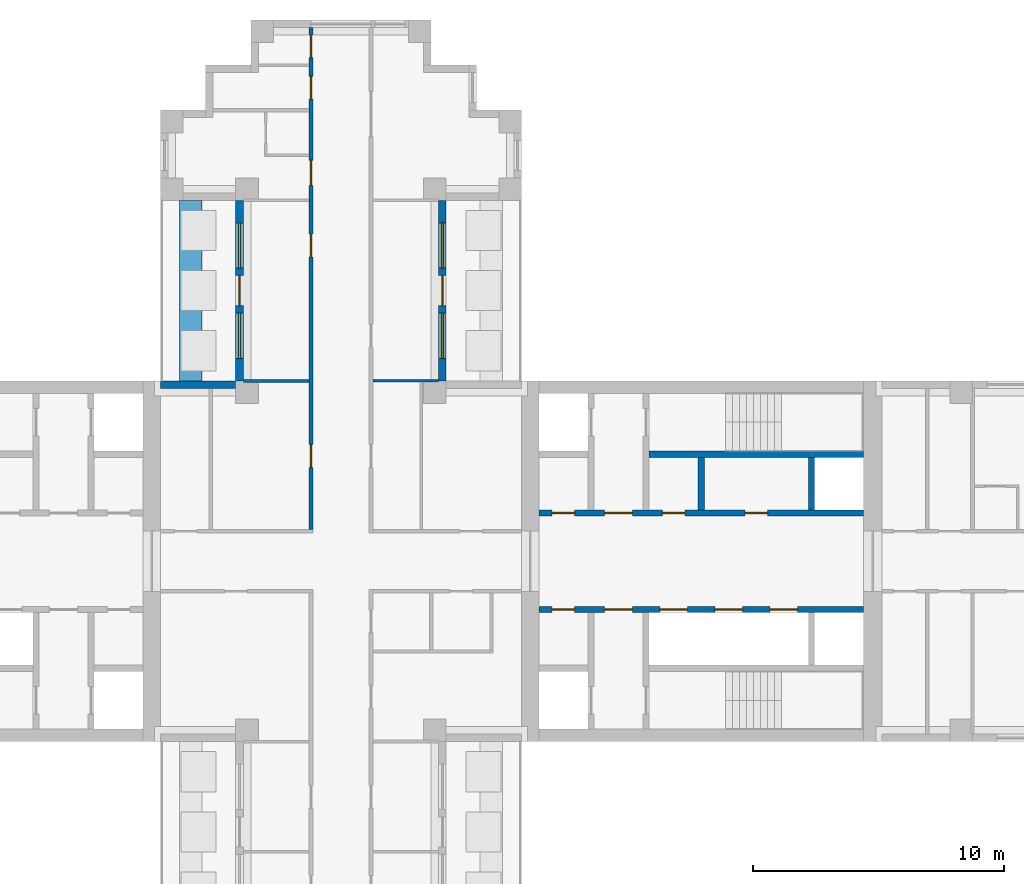
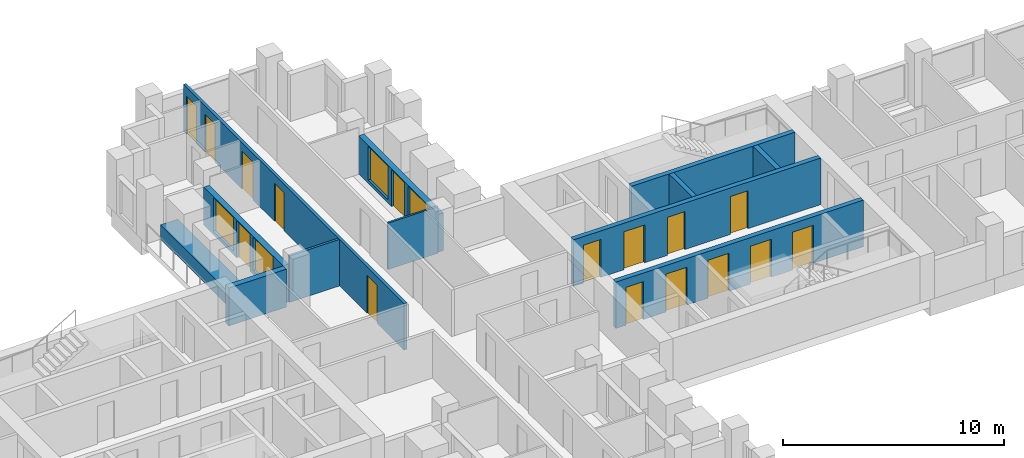
# One storey, part 8 of 13: 16 doors, 12 walls, 4 windows, 20 openings.
"""IFC4 building model written with IfcOpenShell, lengths in metres."""

from ifc_helpers import new_model, si_unit, direction, frame, frame_2d, origin, place, context, subcontext, project, spatial, rectangle, extrude, material, layer, layer_set, type_object, element, fill, save


model = new_model("IFC4")

# Units and contexts
model_context = context("Model", 3, precision=1e-05, world=origin(), true_north=direction((0.0, 1.0)))
body_context = subcontext(model_context, "Body", "Model", "MODEL_VIEW")
ifc_project = project(units=[si_unit("LENGTHUNIT", "METRE"), si_unit("AREAUNIT", "SQUARE_METRE"), si_unit("VOLUMEUNIT", "CUBIC_METRE"), si_unit("PLANEANGLEUNIT", "RADIAN"), si_unit("MASSUNIT", "GRAM", prefix="KILO")], contexts=[model_context])

# Site, building, storey
site_placement = place(None, origin())
site = spatial("IfcSite", under=ifc_project, at=site_placement, CompositionType="ELEMENT")
building_placement = place(site_placement, origin())
building = spatial("IfcBuilding", under=site, at=building_placement, Name="Fustian Cross Tower", CompositionType="ELEMENT")
storey_placement = place(building_placement, frame((0.0, 0.0, 75.89990234375)))
storey = spatial("IfcBuildingStorey", under=building, at=storey_placement, Name="L23", CompositionType="ELEMENT", Elevation=75.89990234375)

# Wall, openings, doors
ifc_material_1 = material(Name="Plasterboard on steel stud", Category="steel")
ifc_layer_1 = layer(ifc_material_1, 0.14990234375)
ifc_layer_set_1 = layer_set([ifc_layer_1], Name="Plasterboard on steel stud")
wall_type_1 = type_object("IfcWallType", Name="COMPARTMENT WALL 150 EI 60", PredefinedType="PARTITIONING", material=ifc_layer_set_1)
wall_1_placement = place(storey_placement, frame((-1.199951171875, 1.27490234375, 0.0), z_axis=(0.0, 0.0, 1.0), x_axis=(0.0, 1.0, 0.0)))
wall_1 = element("IfcWall", 1, at=wall_1_placement, inside=storey, type_object=wall_type_1, Name="Partition 35", PredefinedType="PARTITIONING", context=body_context, shape_type="SweptSolid", body=[
    extrude(rectangle(XDim=20.025146484375, YDim=0.14990234375, at=frame_2d((10.0126953125, 0.0))), origin(), (0.0, 0.0, 1.0), 2.5751953125),
])
opening_1_placement = place(wall_1_placement, frame((2.47509765625, 0.0, 0.0)))
opening_1 = element("IfcOpeningElement", 2, at=opening_1_placement, cuts=wall_1, Name="Opening D12003", PredefinedType="OPENING", context=body_context, shape_type="SweptSolid", body=[
    extrude(rectangle(XDim=0.89990234375, YDim=2.10009765625, at=frame_2d((0.449951171875, 1.050048828125))), frame((0.0, 0.0849609375, 0.0), z_axis=(0.0, -1.0, 0.0), x_axis=(1.0, 0.0, 0.0)), (0.0, 0.0, 1.0), 0.169921875),
])
opening_2_placement = place(wall_1_placement, frame((10.875, 0.0, 0.0)))
opening_2 = element("IfcOpeningElement", 3, at=opening_2_placement, cuts=wall_1, Name="Opening D12021", PredefinedType="OPENING", context=body_context, shape_type="SweptSolid", body=[
    extrude(rectangle(XDim=0.89990234375, YDim=2.10009765625, at=frame_2d((0.449951171875, 1.050048828125))), frame((0.0, 0.0849609375, 0.0), z_axis=(0.0, -1.0, 0.0), x_axis=(1.0, 0.0, 0.0)), (0.0, 0.0, 1.0), 0.169921875),
])
opening_3_placement = place(wall_1_placement, frame((13.72509765625, 0.0, 0.0)))
opening_3 = element("IfcOpeningElement", 4, at=opening_3_placement, cuts=wall_1, Name="Opening D12023", PredefinedType="OPENING", context=body_context, shape_type="SweptSolid", body=[
    extrude(rectangle(XDim=1.0, YDim=2.10009765625, at=frame_2d((0.5, 1.050048828125))), frame((0.0, 0.0849609375, 0.0), z_axis=(0.0, -1.0, 0.0), x_axis=(1.0, 0.0, 0.0)), (0.0, 0.0, 1.0), 0.169921875),
])
opening_4_placement = place(wall_1_placement, frame((17.175048828125, 0.0, 0.0)))
opening_4 = element("IfcOpeningElement", 5, at=opening_4_placement, cuts=wall_1, Name="Opening D12024", PredefinedType="OPENING", context=body_context, shape_type="SweptSolid", body=[
    extrude(rectangle(XDim=0.89990234375, YDim=2.10009765625, at=frame_2d((0.449951171875, 1.050048828125))), frame((0.0, 0.0849609375, 0.0), z_axis=(0.0, -1.0, 0.0), x_axis=(1.0, 0.0, 0.0)), (0.0, 0.0, 1.0), 0.169921875),
])
opening_5_placement = place(wall_1_placement, frame((18.824951171875, 0.0, 0.0)))
opening_5 = element("IfcOpeningElement", 6, at=opening_5_placement, cuts=wall_1, Name="Opening D12025", PredefinedType="OPENING", context=body_context, shape_type="SweptSolid", body=[
    extrude(rectangle(XDim=0.89990234375, YDim=2.10009765625, at=frame_2d((0.449951171875, 1.050048828125))), frame((0.0, 0.0849609375, 0.0), z_axis=(0.0, -1.0, 0.0), x_axis=(1.0, 0.0, 0.0)), (0.0, 0.0, 1.0), 0.169921875),
])
ifc_material_2 = material(Name="Timber fire door set", Category="wood")
door_type_1 = type_object("IfcDoorType", Name="FIRE SWING DOOR 1000 FD30S", OperationType="SINGLE_SWING_LEFT", PredefinedType="DOOR", material=ifc_material_2)
door_1_placement = place(opening_3_placement, origin())
door_1 = element("IfcDoor", 7, at=door_1_placement, inside=storey, type_object=door_type_1, Name="Door D12023", OperationType="SINGLE_SWING_RIGHT", OverallHeight=2.10009765625, OverallWidth=1.0, PredefinedType="DOOR", context=body_context, shape_type="SweptSolid", body=[
    extrude(rectangle(XDim=1.0, YDim=2.10009765625, at=frame_2d((0.5, 1.050048828125))), frame((0.0, 0.02490234375, 0.0), z_axis=(0.0, -1.0, 0.0), x_axis=(1.0, 0.0, 0.0)), (0.0, 0.0, 1.0), 0.050048828125),
])
fill(opening_3, door_1)
ifc_material_3 = material(Name="Timber fire door set", Category="wood")
door_type_2 = type_object("IfcDoorType", Name="FIRE SWING DOOR 900 FD30S", OperationType="SINGLE_SWING_LEFT", PredefinedType="DOOR", material=ifc_material_3)
door_2_placement = place(opening_1_placement, origin())
door_2 = element("IfcDoor", 8, at=door_2_placement, inside=storey, type_object=door_type_2, Name="Door D12003", OperationType="SINGLE_SWING_LEFT", OverallHeight=2.10009765625, OverallWidth=0.89990234375, PredefinedType="DOOR", context=body_context, shape_type="SweptSolid", body=[
    extrude(rectangle(XDim=0.89990234375, YDim=2.10009765625, at=frame_2d((0.449951171875, 1.050048828125))), frame((0.0, 0.02490234375, 0.0), z_axis=(0.0, -1.0, 0.0), x_axis=(1.0, 0.0, 0.0)), (0.0, 0.0, 1.0), 0.050048828125),
])
fill(opening_1, door_2)
door_3_placement = place(opening_2_placement, origin())
door_3 = element("IfcDoor", 9, at=door_3_placement, inside=storey, type_object=door_type_2, Name="Door D12021", OperationType="SINGLE_SWING_RIGHT", OverallHeight=2.10009765625, OverallWidth=0.89990234375, PredefinedType="DOOR", context=body_context, shape_type="SweptSolid", body=[
    extrude(rectangle(XDim=0.89990234375, YDim=2.10009765625, at=frame_2d((0.449951171875, 1.050048828125))), frame((0.0, 0.02490234375, 0.0), z_axis=(0.0, -1.0, 0.0), x_axis=(1.0, 0.0, 0.0)), (0.0, 0.0, 1.0), 0.050048828125),
])
fill(opening_2, door_3)
door_4_placement = place(opening_4_placement, origin())
door_4 = element("IfcDoor", 10, at=door_4_placement, inside=storey, type_object=door_type_2, Name="Door D12024", OperationType="SINGLE_SWING_RIGHT", OverallHeight=2.10009765625, OverallWidth=0.89990234375, PredefinedType="DOOR", context=body_context, shape_type="SweptSolid", body=[
    extrude(rectangle(XDim=0.89990234375, YDim=2.10009765625, at=frame_2d((0.449951171875, 1.050048828125))), frame((0.0, 0.02490234375, 0.0), z_axis=(0.0, -1.0, 0.0), x_axis=(1.0, 0.0, 0.0)), (0.0, 0.0, 1.0), 0.050048828125),
])
fill(opening_4, door_4)
door_5_placement = place(opening_5_placement, origin())
door_5 = element("IfcDoor", 11, at=door_5_placement, inside=storey, type_object=door_type_2, Name="Door D12025", OperationType="SINGLE_SWING_LEFT", OverallHeight=2.10009765625, OverallWidth=0.89990234375, PredefinedType="DOOR", context=body_context, shape_type="SweptSolid", body=[
    extrude(rectangle(XDim=0.89990234375, YDim=2.10009765625, at=frame_2d((0.449951171875, 1.050048828125))), frame((0.0, 0.02490234375, 0.0), z_axis=(0.0, -1.0, 0.0), x_axis=(1.0, 0.0, 0.0)), (0.0, 0.0, 1.0), 0.050048828125),
])
fill(opening_5, door_5)

ifc_material_4 = material(Name="Concrete C50/60", Category="concrete")
ifc_layer_2 = layer(ifc_material_4, 0.25)
ifc_layer_set_2 = layer_set([ifc_layer_2], Name="Concrete C50/60")
wall_type_2 = type_object("IfcWallType", Name="CORE LOBBY WALL 250 C50/60", PredefinedType="SHEAR", material=ifc_layer_set_2)
wall_2_placement = place(storey_placement, frame((7.89990234375, 1.925048828125, 0.0), z_axis=(0.0, 0.0, 1.0), x_axis=(1.0, 0.0, 0.0)))
wall_2 = element("IfcWall", 12, at=wall_2_placement, inside=storey, type_object=wall_type_2, Name="Core lobby wall", PredefinedType="SHEAR", context=body_context, shape_type="SweptSolid", body=[
    extrude(rectangle(XDim=12.9501953125, YDim=0.25, at=frame_2d((6.47509765625, 0.0))), origin(), (0.0, 0.0, 1.0), 2.5751953125),
])
opening_6_placement = place(wall_2_placement, frame((0.52490234375, 0.0, 0.0)))
opening_6 = element("IfcOpeningElement", 13, at=opening_6_placement, cuts=wall_2, Name="Opening CD-10-08", PredefinedType="OPENING", context=body_context, shape_type="SweptSolid", body=[
    extrude(rectangle(XDim=0.89990234375, YDim=2.10009765625, at=frame_2d((0.449951171875, 1.050048828125))), frame((0.0, 0.135009765625, 0.0), z_axis=(0.0, -1.0, 0.0), x_axis=(1.0, 0.0, 0.0)), (0.0, 0.0, 1.0), 0.27001953125),
])
opening_7_placement = place(wall_2_placement, frame((2.625, 0.0, 0.0)))
opening_7 = element("IfcOpeningElement", 14, at=opening_7_placement, cuts=wall_2, Name="Opening CD-10-10", PredefinedType="OPENING", context=body_context, shape_type="SweptSolid", body=[
    extrude(rectangle(XDim=1.10009765625, YDim=2.10009765625, at=frame_2d((0.550048828125, 1.050048828125))), frame((0.0, 0.135009765625, 0.0), z_axis=(0.0, -1.0, 0.0), x_axis=(1.0, 0.0, 0.0)), (0.0, 0.0, 1.0), 0.27001953125),
])
opening_8_placement = place(wall_2_placement, frame((4.925048828125, 0.0, 0.0)))
opening_8 = element("IfcOpeningElement", 15, at=opening_8_placement, cuts=wall_2, Name="Opening CD-10-14", PredefinedType="OPENING", context=body_context, shape_type="SweptSolid", body=[
    extrude(rectangle(XDim=0.89990234375, YDim=2.10009765625, at=frame_2d((0.449951171875, 1.050048828125))), frame((0.0, 0.135009765625, 0.0), z_axis=(0.0, -1.0, 0.0), x_axis=(1.0, 0.0, 0.0)), (0.0, 0.0, 1.0), 0.27001953125),
])
opening_9_placement = place(wall_2_placement, frame((8.22509765625, 0.0, 0.0)))
opening_9 = element("IfcOpeningElement", 16, at=opening_9_placement, cuts=wall_2, Name="Opening CD-10-15", PredefinedType="OPENING", context=body_context, shape_type="SweptSolid", body=[
    extrude(rectangle(XDim=0.89990234375, YDim=2.10009765625, at=frame_2d((0.449951171875, 1.050048828125))), frame((0.0, 0.135009765625, 0.0), z_axis=(0.0, -1.0, 0.0), x_axis=(1.0, 0.0, 0.0)), (0.0, 0.0, 1.0), 0.27001953125),
])
ifc_material_5 = material(Name="Steel", Category="steel")
door_type_3 = type_object("IfcDoorType", Name="FIRE DOOR FD30S 900X2100", OperationType="SINGLE_SWING_LEFT", PredefinedType="DOOR", material=ifc_material_5)
door_6_placement = place(opening_8_placement, origin())
door_6 = element("IfcDoor", 17, at=door_6_placement, inside=storey, type_object=door_type_3, Name="Core door CD-10-14", OperationType="SINGLE_SWING_LEFT", OverallHeight=2.10009765625, OverallWidth=0.89990234375, PredefinedType="DOOR", context=body_context, shape_type="SweptSolid", body=[
    extrude(rectangle(XDim=0.89990234375, YDim=2.10009765625, at=frame_2d((0.449951171875, 1.050048828125))), frame((0.0, 0.02490234375, 0.0), z_axis=(0.0, -1.0, 0.0), x_axis=(1.0, 0.0, 0.0)), (0.0, 0.0, 1.0), 0.050048828125),
])
fill(opening_8, door_6)
door_7_placement = place(opening_9_placement, origin())
door_7 = element("IfcDoor", 18, at=door_7_placement, inside=storey, type_object=door_type_3, Name="Core door CD-10-15", OperationType="SINGLE_SWING_RIGHT", OverallHeight=2.10009765625, OverallWidth=0.89990234375, PredefinedType="DOOR", context=body_context, shape_type="SweptSolid", body=[
    extrude(rectangle(XDim=0.89990234375, YDim=2.10009765625, at=frame_2d((0.449951171875, 1.050048828125))), frame((0.0, 0.02490234375, 0.0), z_axis=(0.0, -1.0, 0.0), x_axis=(1.0, 0.0, 0.0)), (0.0, 0.0, 1.0), 0.050048828125),
])
fill(opening_9, door_7)
ifc_material_6 = material(Name="Steel", Category="steel")
door_type_4 = type_object("IfcDoorType", Name="FIRE DOOR FD60S 1100X2100", OperationType="SINGLE_SWING_LEFT", PredefinedType="DOOR", material=ifc_material_6)
door_8_placement = place(opening_7_placement, frame((1.10009765625, 0.0, 0.0), z_axis=(0.0, 0.0, 1.0), x_axis=(-1.0, 0.0, 0.0)))
door_8 = element("IfcDoor", 19, at=door_8_placement, inside=storey, type_object=door_type_4, Name="Core door CD-10-10", OperationType="SINGLE_SWING_RIGHT", OverallHeight=2.10009765625, OverallWidth=1.10009765625, PredefinedType="DOOR", context=body_context, shape_type="SweptSolid", body=[
    extrude(rectangle(XDim=1.10009765625, YDim=2.10009765625, at=frame_2d((0.550048828125, 1.050048828125))), frame((0.0, 0.02490234375, 0.0), z_axis=(0.0, -1.0, 0.0), x_axis=(1.0, 0.0, 0.0)), (0.0, 0.0, 1.0), 0.050048828125),
])
fill(opening_7, door_8)
ifc_material_7 = material(Name="Steel", Category="steel")
door_type_5 = type_object("IfcDoorType", Name="FIRE DOOR FD60S 900X2100", OperationType="SINGLE_SWING_LEFT", PredefinedType="DOOR", material=ifc_material_7)
door_9_placement = place(opening_6_placement, origin())
door_9 = element("IfcDoor", 20, at=door_9_placement, inside=storey, type_object=door_type_5, Name="Core door CD-10-08", OperationType="SINGLE_SWING_LEFT", OverallHeight=2.10009765625, OverallWidth=0.89990234375, PredefinedType="DOOR", context=body_context, shape_type="SweptSolid", body=[
    extrude(rectangle(XDim=0.89990234375, YDim=2.10009765625, at=frame_2d((0.449951171875, 1.050048828125))), frame((0.0, 0.02490234375, 0.0), z_axis=(0.0, -1.0, 0.0), x_axis=(1.0, 0.0, 0.0)), (0.0, 0.0, 1.0), 0.050048828125),
])
fill(opening_6, door_9)

wall_3_placement = place(storey_placement, frame((7.89990234375, -1.925048828125, 0.0), z_axis=(0.0, 0.0, 1.0), x_axis=(1.0, 0.0, 0.0)))
wall_3 = element("IfcWall", 21, at=wall_3_placement, inside=storey, type_object=wall_type_2, Name="Core lobby wall", PredefinedType="SHEAR", context=body_context, shape_type="SweptSolid", body=[
    extrude(rectangle(XDim=12.9501953125, YDim=0.25, at=frame_2d((6.47509765625, 0.0))), origin(), (0.0, 0.0, 1.0), 2.5751953125),
])
opening_10_placement = place(wall_3_placement, frame((4.824951171875, 0.0, 0.0)))
opening_10 = element("IfcOpeningElement", 22, at=opening_10_placement, cuts=wall_3, Name="Opening LD", PredefinedType="OPENING", context=body_context, shape_type="SweptSolid", body=[
    extrude(rectangle(XDim=1.10009765625, YDim=2.10009765625, at=frame_2d((0.550048828125, 1.050048828125))), frame((0.0, 0.135009765625, 0.0), z_axis=(0.0, -1.0, 0.0), x_axis=(1.0, 0.0, 0.0)), (0.0, 0.0, 1.0), 0.27001953125),
])
opening_11_placement = place(wall_3_placement, frame((7.02490234375, 0.0, 0.0)))
opening_11 = element("IfcOpeningElement", 23, at=opening_11_placement, cuts=wall_3, Name="Opening LD", PredefinedType="OPENING", context=body_context, shape_type="SweptSolid", body=[
    extrude(rectangle(XDim=1.10009765625, YDim=2.10009765625, at=frame_2d((0.550048828125, 1.050048828125))), frame((0.0, 0.135009765625, 0.0), z_axis=(0.0, -1.0, 0.0), x_axis=(1.0, 0.0, 0.0)), (0.0, 0.0, 1.0), 0.27001953125),
])
opening_12_placement = place(wall_3_placement, frame((9.22509765625, 0.0, 0.0)))
opening_12 = element("IfcOpeningElement", 24, at=opening_12_placement, cuts=wall_3, Name="Opening LD", PredefinedType="OPENING", context=body_context, shape_type="SweptSolid", body=[
    extrude(rectangle(XDim=1.10009765625, YDim=2.10009765625, at=frame_2d((0.550048828125, 1.050048828125))), frame((0.0, 0.135009765625, 0.0), z_axis=(0.0, -1.0, 0.0), x_axis=(1.0, 0.0, 0.0)), (0.0, 0.0, 1.0), 0.27001953125),
])
opening_13_placement = place(wall_3_placement, frame((0.52490234375, 0.0, 0.0)))
opening_13 = element("IfcOpeningElement", 25, at=opening_13_placement, cuts=wall_3, Name="Opening CD-10-09", PredefinedType="OPENING", context=body_context, shape_type="SweptSolid", body=[
    extrude(rectangle(XDim=0.89990234375, YDim=2.10009765625, at=frame_2d((0.449951171875, 1.050048828125))), frame((0.0, 0.135009765625, 0.0), z_axis=(0.0, -1.0, 0.0), x_axis=(1.0, 0.0, 0.0)), (0.0, 0.0, 1.0), 0.27001953125),
])
opening_14_placement = place(wall_3_placement, frame((2.625, 0.0, 0.0)))
opening_14 = element("IfcOpeningElement", 26, at=opening_14_placement, cuts=wall_3, Name="Opening CD-10-11", PredefinedType="OPENING", context=body_context, shape_type="SweptSolid", body=[
    extrude(rectangle(XDim=1.10009765625, YDim=2.10009765625, at=frame_2d((0.550048828125, 1.050048828125))), frame((0.0, 0.135009765625, 0.0), z_axis=(0.0, -1.0, 0.0), x_axis=(1.0, 0.0, 0.0)), (0.0, 0.0, 1.0), 0.27001953125),
])
ifc_material_8 = material(Name="Steel", Category="steel")
door_type_6 = type_object("IfcDoorType", Name="FIRE DOOR FD30S 1100X2100", OperationType="SINGLE_SWING_LEFT", PredefinedType="DOOR", material=ifc_material_8)
door_10_placement = place(opening_14_placement, frame((1.10009765625, 0.0, 0.0), z_axis=(0.0, 0.0, 1.0), x_axis=(-1.0, 0.0, 0.0)))
door_10 = element("IfcDoor", 27, at=door_10_placement, inside=storey, type_object=door_type_6, Name="Core door CD-10-11", OperationType="SINGLE_SWING_RIGHT", OverallHeight=2.10009765625, OverallWidth=1.10009765625, PredefinedType="DOOR", context=body_context, shape_type="SweptSolid", body=[
    extrude(rectangle(XDim=1.10009765625, YDim=2.10009765625, at=frame_2d((0.550048828125, 1.050048828125))), frame((0.0, 0.02490234375, 0.0), z_axis=(0.0, -1.0, 0.0), x_axis=(1.0, 0.0, 0.0)), (0.0, 0.0, 1.0), 0.050048828125),
])
fill(opening_14, door_10)
door_11_placement = place(opening_13_placement, frame((0.89990234375, 0.0, 0.0), z_axis=(0.0, 0.0, 1.0), x_axis=(-1.0, 0.0, 0.0)))
door_11 = element("IfcDoor", 28, at=door_11_placement, inside=storey, type_object=door_type_3, Name="Core door CD-10-09", OperationType="SINGLE_SWING_RIGHT", OverallHeight=2.10009765625, OverallWidth=0.89990234375, PredefinedType="DOOR", context=body_context, shape_type="SweptSolid", body=[
    extrude(rectangle(XDim=0.89990234375, YDim=2.10009765625, at=frame_2d((0.449951171875, 1.050048828125))), frame((0.0, 0.02490234375, 0.0), z_axis=(0.0, -1.0, 0.0), x_axis=(1.0, 0.0, 0.0)), (0.0, 0.0, 1.0), 0.050048828125),
])
fill(opening_13, door_11)
ifc_material_9 = material(Name="Stainless steel", Category="steel")
door_type_7 = type_object("IfcDoorType", Name="LIFT LANDING DOOR 1100X2100", OperationType="SLIDING_TO_LEFT", PredefinedType="DOOR", material=ifc_material_9)
door_12_placement = place(opening_10_placement, origin())
door_12 = element("IfcDoor", 29, at=door_12_placement, inside=storey, type_object=door_type_7, Name="Landing door LR1", OperationType="SLIDING_TO_LEFT", OverallHeight=2.10009765625, OverallWidth=1.10009765625, PredefinedType="DOOR", context=body_context, shape_type="SweptSolid", body=[
    extrude(rectangle(XDim=1.10009765625, YDim=2.10009765625, at=frame_2d((0.550048828125, 1.050048828125))), frame((0.0, 0.02490234375, 0.0), z_axis=(0.0, -1.0, 0.0), x_axis=(1.0, 0.0, 0.0)), (0.0, 0.0, 1.0), 0.050048828125),
])
fill(opening_10, door_12)
door_13_placement = place(opening_11_placement, origin())
door_13 = element("IfcDoor", 30, at=door_13_placement, inside=storey, type_object=door_type_7, Name="Landing door LR2", OperationType="SLIDING_TO_LEFT", OverallHeight=2.10009765625, OverallWidth=1.10009765625, PredefinedType="DOOR", context=body_context, shape_type="SweptSolid", body=[
    extrude(rectangle(XDim=1.10009765625, YDim=2.10009765625, at=frame_2d((0.550048828125, 1.050048828125))), frame((0.0, 0.02490234375, 0.0), z_axis=(0.0, -1.0, 0.0), x_axis=(1.0, 0.0, 0.0)), (0.0, 0.0, 1.0), 0.050048828125),
])
fill(opening_11, door_13)
door_14_placement = place(opening_12_placement, origin())
door_14 = element("IfcDoor", 31, at=door_14_placement, inside=storey, type_object=door_type_7, Name="Landing door LR3", OperationType="SLIDING_TO_LEFT", OverallHeight=2.10009765625, OverallWidth=1.10009765625, PredefinedType="DOOR", context=body_context, shape_type="SweptSolid", body=[
    extrude(rectangle(XDim=1.10009765625, YDim=2.10009765625, at=frame_2d((0.550048828125, 1.050048828125))), frame((0.0, 0.02490234375, 0.0), z_axis=(0.0, -1.0, 0.0), x_axis=(1.0, 0.0, 0.0)), (0.0, 0.0, 1.0), 0.050048828125),
])
fill(opening_12, door_14)

# Walls
ifc_material_10 = material(Name="Concrete C50/60", Category="concrete")
ifc_layer_3 = layer(ifc_material_10, 0.25)
ifc_layer_set_3 = layer_set([ifc_layer_3], Name="Concrete C50/60")
wall_type_3 = type_object("IfcWallType", Name="CORE SHAFT WALL 250 C50/60", PredefinedType="SHEAR", material=ifc_layer_set_3)
wall_4_placement = place(storey_placement, frame((12.300048828125, 4.27490234375, 0.0), z_axis=(0.0, 0.0, 1.0), x_axis=(1.0, 0.0, 0.0)))
element("IfcWall", 32, at=wall_4_placement, inside=storey, type_object=wall_type_3, Name="Core shaft wall", PredefinedType="SHEAR", context=body_context, shape_type="SweptSolid", body=[
    extrude(rectangle(XDim=8.550048828125, YDim=0.25, at=frame_2d((4.27490234375, 0.0))), origin(), (0.0, 0.0, 1.0), 2.5751953125),
])
ifc_material_11 = material(Name="Plasterboard on steel stud", Category="steel")
ifc_layer_4 = layer(ifc_material_11, 0.10009765625)
ifc_layer_set_4 = layer_set([ifc_layer_4], Name="Plasterboard on steel stud")
wall_type_4 = type_object("IfcWallType", Name="PARTITION 100 STUD", PredefinedType="PARTITIONING", material=ifc_layer_set_4)
wall_5_placement = place(storey_placement, frame((1.27490234375, 7.199951171875, 0.0), z_axis=(0.0, 0.0, 1.0), x_axis=(1.0, 0.0, 0.0)))
element("IfcWall", 33, at=wall_5_placement, inside=storey, type_object=wall_type_4, Name="Partition 48", PredefinedType="PARTITIONING", context=body_context, shape_type="SweptSolid", body=[
    extrude(rectangle(XDim=2.625, YDim=0.10009765625, at=frame_2d((1.3125, 0.0))), origin(), (0.0, 0.0, 1.0), 2.5751953125),
])
ifc_material_12 = material(Name="Concrete C40/50", Category="concrete")
ifc_layer_5 = layer(ifc_material_12, 0.89990234375)
ifc_layer_set_5 = layer_set([ifc_layer_5], Name="Concrete C40/50")
wall_type_5 = type_object("IfcWallType", Name="PK1 PLANTER 900", PredefinedType="PARAPET", material=ifc_layer_set_5)
wall_6_placement = place(storey_placement, frame((-6.0, 7.199951171875, 0.0), z_axis=(0.0, 0.0, 1.0), x_axis=(0.0, 1.0, 0.0)))
element("IfcWall", 34, at=wall_6_placement, inside=storey, type_object=wall_type_5, Name="PLANTER", PredefinedType="PARAPET", context=body_context, shape_type="SweptSolid", body=[
    extrude(rectangle(XDim=7.199951171875, YDim=0.89990234375, at=frame_2d((3.60009765625, 0.0))), origin(), (0.0, 0.0, 1.0), 0.800048828125),
])
ifc_material_13 = material(Name="Concrete C40/50", Category="concrete")
ifc_layer_6 = layer(ifc_material_13, 0.25)
ifc_layer_set_6 = layer_set([ifc_layer_6], Name="Concrete C40/50")
wall_type_6 = type_object("IfcWallType", Name="SHAFT PARTITION WALL 250 C40/50", PredefinedType="PARTITIONING", material=ifc_layer_set_6)
for number, where, z_axis, x_axis, name in (
    (35, (14.375, 2.050048828125, 0.0), (0.0, 0.0, 1.0), (0.0, 1.0, 0.0), "Core shaft wall"),
    (36, (18.77490234375, 2.050048828125, 0.0), (0.0, 0.0, 1.0), (0.0, 1.0, 0.0), "Core shaft wall"),
):
    element("IfcWall", number, at=place(storey_placement, frame(where, z_axis=z_axis, x_axis=x_axis)), inside=storey, type_object=wall_type_6, Name=name, PredefinedType="PARTITIONING", context=body_context, shape_type="SweptSolid", body=[
        extrude(rectangle(XDim=2.099853515625, YDim=0.25, at=frame_2d((1.0498046875, 0.0))), origin(), (0.0, 0.0, 1.0), 2.5751953125),
    ])
ifc_material_14 = material(Name="Plasterboard on steel stud", Category="steel")
ifc_layer_7 = layer(ifc_material_14, 0.125)
ifc_layer_set_7 = layer_set([ifc_layer_7], Name="Plasterboard on steel stud")
wall_type_7 = type_object("IfcWallType", Name="WET WALL 125 STUD", PredefinedType="PARTITIONING", material=ifc_layer_set_7)
wall_7_placement = place(storey_placement, frame((-3.89990234375, 7.199951171875, 0.0), z_axis=(0.0, 0.0, 1.0), x_axis=(1.0, 0.0, 0.0)))
element("IfcWall", 37, at=wall_7_placement, inside=storey, type_object=wall_type_7, Name="Partition 28", PredefinedType="PARTITIONING", context=body_context, shape_type="SweptSolid", body=[
    extrude(rectangle(XDim=2.625, YDim=0.125, at=frame_2d((1.3125, 0.0))), origin(), (0.0, 0.0, 1.0), 2.5751953125),
])

# Wall, openings, door, windows
ifc_material_15 = material(Name="Dark aluminium cladding on insulated backing wall", Category="aluminium")
ifc_layer_8 = layer(ifc_material_15, 0.300048828125)
ifc_layer_set_8 = layer_set([ifc_layer_8], Name="Dark aluminium cladding on insulated backing wall")
wall_type_8 = type_object("IfcWallType", Name="XW1 EXTERNAL WALL 300", PredefinedType="SOLIDWALL", material=ifc_layer_set_8)
wall_8_placement = place(storey_placement, frame((4.050048828125, 7.199951171875, 0.0), z_axis=(0.0, 0.0, 1.0), x_axis=(0.0, 1.0, 0.0)))
wall_8 = element("IfcWall", 38, at=wall_8_placement, inside=storey, type_object=wall_type_8, Name="External wall", PredefinedType="SOLIDWALL", context=body_context, shape_type="SweptSolid", body=[
    extrude(rectangle(XDim=7.199951171875, YDim=0.300048828125, at=frame_2d((3.60009765625, 0.0))), origin(), (0.0, 0.0, 1.0), 2.10009765625),
])
opening_15_placement = place(wall_8_placement, frame((3.0, 0.0, 0.0)))
opening_15 = element("IfcOpeningElement", 39, at=opening_15_placement, cuts=wall_8, Name="Opening XD1", PredefinedType="OPENING", context=body_context, shape_type="SweptSolid", body=[
    extrude(rectangle(XDim=1.199951171875, YDim=2.050048828125, at=frame_2d((0.60009765625, 1.02490234375))), frame((0.0, 0.159912109375, 0.0), z_axis=(0.0, -1.0, 0.0), x_axis=(1.0, 0.0, 0.0)), (0.0, 0.0, 1.0), 0.320068359375),
])
opening_16_placement = place(wall_8_placement, frame((0.89990234375, 0.0, 0.199951171875)))
opening_16 = element("IfcOpeningElement", 40, at=opening_16_placement, cuts=wall_8, Name="Opening WN2", PredefinedType="OPENING", context=body_context, shape_type="SweptSolid", body=[
    extrude(rectangle(XDim=1.800048828125, YDim=1.85009765625, at=frame_2d((0.89990234375, 0.925048828125))), frame((0.0, 0.159912109375, 0.0), z_axis=(0.0, -1.0, 0.0), x_axis=(1.0, 0.0, 0.0)), (0.0, 0.0, 1.0), 0.320068359375),
])
opening_17_placement = place(wall_8_placement, frame((4.5, 0.0, 0.199951171875)))
opening_17 = element("IfcOpeningElement", 41, at=opening_17_placement, cuts=wall_8, Name="Opening WN2", PredefinedType="OPENING", context=body_context, shape_type="SweptSolid", body=[
    extrude(rectangle(XDim=1.800048828125, YDim=1.85009765625, at=frame_2d((0.89990234375, 0.925048828125))), frame((0.0, 0.159912109375, 0.0), z_axis=(0.0, -1.0, 0.0), x_axis=(1.0, 0.0, 0.0)), (0.0, 0.0, 1.0), 0.320068359375),
])
ifc_material_16 = material(Name="Dark anodised aluminium and double glazing", Category="aluminium")
door_type_8 = type_object("IfcDoorType", Name="ED1 BALCONY DOOR 1200X2050", OperationType="SINGLE_SWING_LEFT", PredefinedType="DOOR", material=ifc_material_16)
door_15_placement = place(opening_15_placement, origin())
door_15 = element("IfcDoor", 42, at=door_15_placement, inside=storey, type_object=door_type_8, Name="Balcony door", OperationType="SINGLE_SWING_LEFT", OverallHeight=2.050048828125, OverallWidth=1.199951171875, PredefinedType="DOOR", context=body_context, shape_type="SweptSolid", body=[
    extrude(rectangle(XDim=1.199951171875, YDim=2.050048828125, at=frame_2d((0.60009765625, 1.02490234375))), frame((0.0, 0.02490234375, 0.0), z_axis=(0.0, -1.0, 0.0), x_axis=(1.0, 0.0, 0.0)), (0.0, 0.0, 1.0), 0.050048828125),
])
fill(opening_15, door_15)
ifc_material_17 = material(Name="Dark anodised aluminium and double glazing", Category="aluminium")
window_type = type_object("IfcWindowType", Name="WN2 WINDOW 1800X1850", PartitioningType="SINGLE_PANEL", PredefinedType="WINDOW", material=ifc_material_17)
window_1_placement = place(opening_16_placement, origin())
window_1 = element("IfcWindow", 43, at=window_1_placement, inside=storey, type_object=window_type, Name="Window", OverallHeight=1.85009765625, OverallWidth=1.800048828125, PartitioningType="SINGLE_PANEL", PredefinedType="WINDOW", context=body_context, shape_type="SweptSolid", body=[
    extrude(rectangle(XDim=1.800048828125, YDim=1.85009765625, at=frame_2d((0.89990234375, 0.925048828125))), frame((0.0, 0.030029296875, 0.0), z_axis=(0.0, -1.0, 0.0), x_axis=(1.0, 0.0, 0.0)), (0.0, 0.0, 1.0), 0.06005859375),
])
fill(opening_16, window_1)
window_2_placement = place(opening_17_placement, origin())
window_2 = element("IfcWindow", 44, at=window_2_placement, inside=storey, type_object=window_type, Name="Window", OverallHeight=1.85009765625, OverallWidth=1.800048828125, PartitioningType="SINGLE_PANEL", PredefinedType="WINDOW", context=body_context, shape_type="SweptSolid", body=[
    extrude(rectangle(XDim=1.800048828125, YDim=1.85009765625, at=frame_2d((0.89990234375, 0.925048828125))), frame((0.0, 0.030029296875, 0.0), z_axis=(0.0, -1.0, 0.0), x_axis=(1.0, 0.0, 0.0)), (0.0, 0.0, 1.0), 0.06005859375),
])
fill(opening_17, window_2)

wall_9_placement = place(storey_placement, frame((-4.050048828125, 14.39990234375, 0.0), z_axis=(0.0, 0.0, 1.0), x_axis=(0.0, -1.0, 0.0)))
wall_9 = element("IfcWall", 45, at=wall_9_placement, inside=storey, type_object=wall_type_8, Name="External wall", PredefinedType="SOLIDWALL", context=body_context, shape_type="SweptSolid", body=[
    extrude(rectangle(XDim=7.199951171875, YDim=0.300048828125, at=frame_2d((3.60009765625, 0.0))), origin(), (0.0, 0.0, 1.0), 2.10009765625),
])
opening_18_placement = place(wall_9_placement, frame((3.0, 0.0, 0.0)))
opening_18 = element("IfcOpeningElement", 46, at=opening_18_placement, cuts=wall_9, Name="Opening XD2", PredefinedType="OPENING", context=body_context, shape_type="SweptSolid", body=[
    extrude(rectangle(XDim=1.199951171875, YDim=2.050048828125, at=frame_2d((0.60009765625, 1.02490234375))), frame((0.0, 0.159912109375, 0.0), z_axis=(0.0, -1.0, 0.0), x_axis=(1.0, 0.0, 0.0)), (0.0, 0.0, 1.0), 0.320068359375),
])
opening_19_placement = place(wall_9_placement, frame((0.89990234375, 0.0, 0.199951171875)))
opening_19 = element("IfcOpeningElement", 47, at=opening_19_placement, cuts=wall_9, Name="Opening WN2", PredefinedType="OPENING", context=body_context, shape_type="SweptSolid", body=[
    extrude(rectangle(XDim=1.800048828125, YDim=1.85009765625, at=frame_2d((0.89990234375, 0.925048828125))), frame((0.0, 0.159912109375, 0.0), z_axis=(0.0, -1.0, 0.0), x_axis=(1.0, 0.0, 0.0)), (0.0, 0.0, 1.0), 0.320068359375),
])
opening_20_placement = place(wall_9_placement, frame((4.5, 0.0, 0.199951171875)))
opening_20 = element("IfcOpeningElement", 48, at=opening_20_placement, cuts=wall_9, Name="Opening WN2", PredefinedType="OPENING", context=body_context, shape_type="SweptSolid", body=[
    extrude(rectangle(XDim=1.800048828125, YDim=1.85009765625, at=frame_2d((0.89990234375, 0.925048828125))), frame((0.0, 0.159912109375, 0.0), z_axis=(0.0, -1.0, 0.0), x_axis=(1.0, 0.0, 0.0)), (0.0, 0.0, 1.0), 0.320068359375),
])
door_16_placement = place(opening_18_placement, origin())
door_16 = element("IfcDoor", 49, at=door_16_placement, inside=storey, type_object=door_type_8, Name="Balcony door", OperationType="SINGLE_SWING_LEFT", OverallHeight=2.050048828125, OverallWidth=1.199951171875, PredefinedType="DOOR", context=body_context, shape_type="SweptSolid", body=[
    extrude(rectangle(XDim=1.199951171875, YDim=2.050048828125, at=frame_2d((0.60009765625, 1.02490234375))), frame((0.0, 0.02490234375, 0.0), z_axis=(0.0, -1.0, 0.0), x_axis=(1.0, 0.0, 0.0)), (0.0, 0.0, 1.0), 0.050048828125),
])
fill(opening_18, door_16)
window_3_placement = place(opening_19_placement, origin())
window_3 = element("IfcWindow", 50, at=window_3_placement, inside=storey, type_object=window_type, Name="Window", OverallHeight=1.85009765625, OverallWidth=1.800048828125, PartitioningType="SINGLE_PANEL", PredefinedType="WINDOW", context=body_context, shape_type="SweptSolid", body=[
    extrude(rectangle(XDim=1.800048828125, YDim=1.85009765625, at=frame_2d((0.89990234375, 0.925048828125))), frame((0.0, 0.030029296875, 0.0), z_axis=(0.0, -1.0, 0.0), x_axis=(1.0, 0.0, 0.0)), (0.0, 0.0, 1.0), 0.06005859375),
])
fill(opening_19, window_3)
window_4_placement = place(opening_20_placement, origin())
window_4 = element("IfcWindow", 51, at=window_4_placement, inside=storey, type_object=window_type, Name="Window", OverallHeight=1.85009765625, OverallWidth=1.800048828125, PartitioningType="SINGLE_PANEL", PredefinedType="WINDOW", context=body_context, shape_type="SweptSolid", body=[
    extrude(rectangle(XDim=1.800048828125, YDim=1.85009765625, at=frame_2d((0.89990234375, 0.925048828125))), frame((0.0, 0.030029296875, 0.0), z_axis=(0.0, -1.0, 0.0), x_axis=(1.0, 0.0, 0.0)), (0.0, 0.0, 1.0), 0.06005859375),
])
fill(opening_20, window_4)

# Wall
wall_10_placement = place(storey_placement, frame((-4.199951171875, 7.050048828125, 0.0), z_axis=(0.0, 0.0, 1.0), x_axis=(-1.0, 0.0, 0.0)))
element("IfcWall", 52, at=wall_10_placement, inside=storey, type_object=wall_type_8, Name="External wall", PredefinedType="SOLIDWALL", context=body_context, shape_type="SweptSolid", body=[
    extrude(rectangle(XDim=3.0, YDim=0.300048828125, at=frame_2d((1.5, 0.0))), origin(), (0.0, 0.0, 1.0), 2.10009765625),
])

save(model, "model.ifc")
